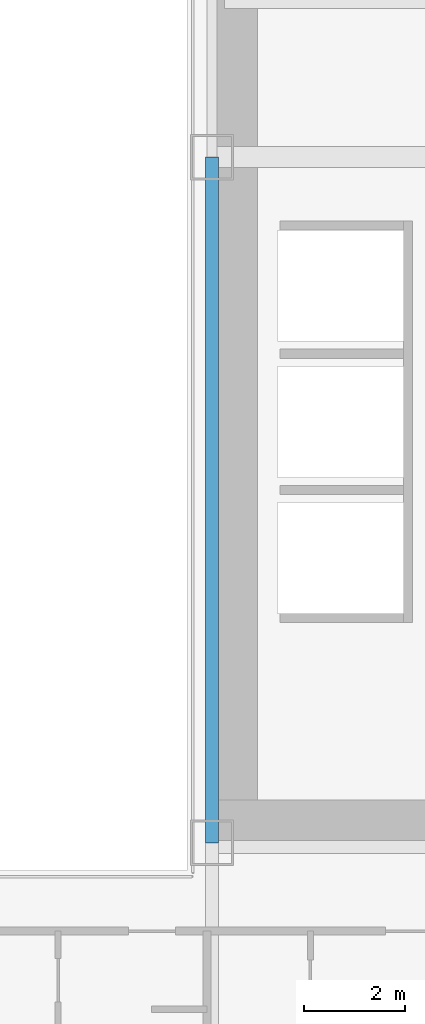
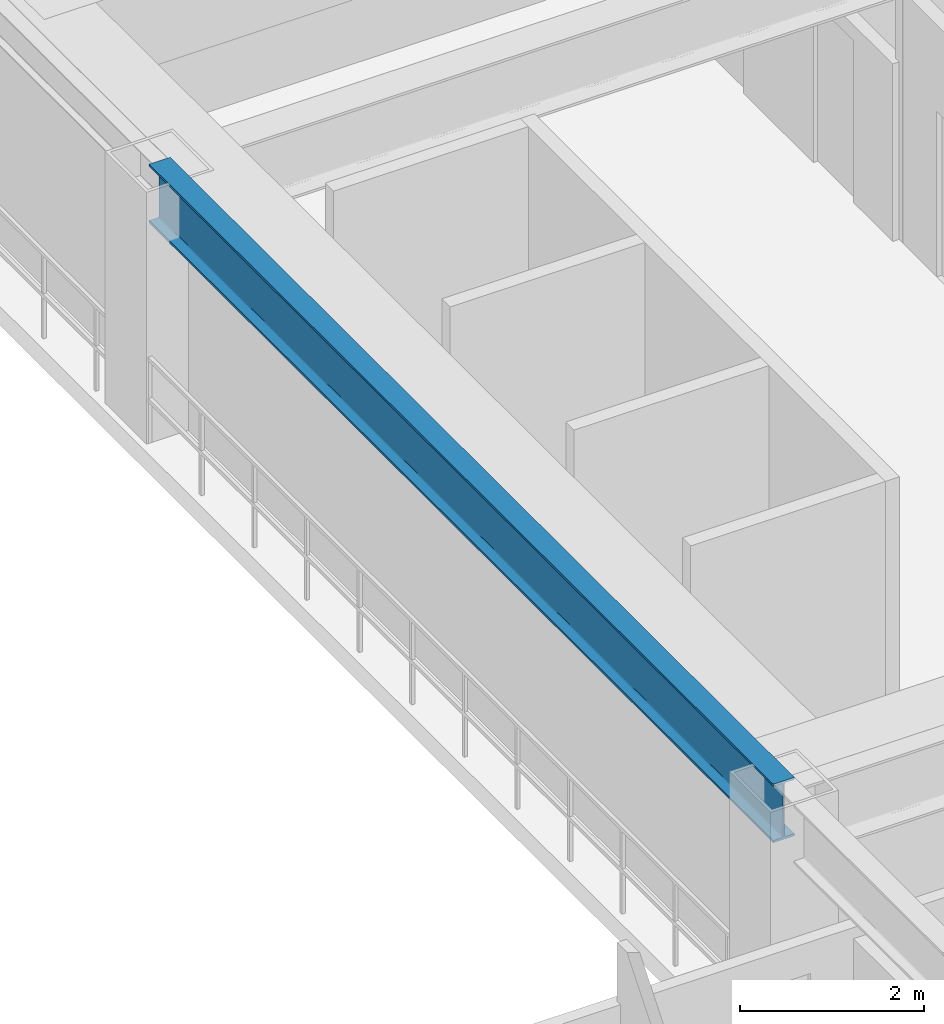
# One storey, part 12 of 36: 1 beam.
"""IFC4 building model written with IfcOpenShell, lengths in metres."""

from ifc_helpers import new_model, si_unit, direction, frame, origin, origin_2d, place, context, subcontext, project, spatial, i_section, extrude, source, transform, mapped, material, material_profile, profile_set, type_object, element, save


model = new_model("IFC4")

# Units and contexts
model_context = context("Model", 3, precision=1e-05, world=origin(), true_north=direction((0.0, 1.0)))
body_context = subcontext(model_context, "Body", "Model", "MODEL_VIEW")
ifc_project = project(units=[si_unit("LENGTHUNIT", "METRE"), si_unit("AREAUNIT", "SQUARE_METRE"), si_unit("VOLUMEUNIT", "CUBIC_METRE"), si_unit("PLANEANGLEUNIT", "RADIAN"), si_unit("MASSUNIT", "GRAM", prefix="KILO")], contexts=[model_context])

# Site, building, storey
site_placement = place(None, origin())
site = spatial("IfcSite", under=ifc_project, at=site_placement, CompositionType="ELEMENT")
building_placement = place(site_placement, origin())
building = spatial("IfcBuilding", under=site, at=building_placement, Name="Ocotamira Hotel", CompositionType="ELEMENT")
storey_placement = place(building_placement, frame((0.0, 0.0, 42.0)))
storey = spatial("IfcBuildingStorey", under=building, at=storey_placement, Name="L09", CompositionType="ELEMENT", Elevation=42.0)

# Beam
ifc_material = material(Name="Steel ASTM A992 Grade 50", Category="steel")
ifc_material_profile = material_profile(ifc_material, i_section(OverallWidth=0.26611328125, OverallDepth=0.779052734375, WebThickness=0.0166015625, FlangeThickness=0.030029296875, FilletRadius=0.01806640625, at=origin_2d()), Name="W30X148")
ifc_profile_set = profile_set([ifc_material_profile], Name="Steel ASTM A992 Grade 50")
beam_type = type_object("IfcBeamType", Name="BM-GIRD-W30X148", PredefinedType="BEAM", material=ifc_profile_set)
shared_shape = source(origin(), body_context, "Body", "SweptSolid", [
    extrude(i_section(OverallWidth=0.26611328125, OverallDepth=0.779052734375, WebThickness=0.0166015625, FlangeThickness=0.030029296875, FilletRadius=0.01806640625, at=origin_2d()), origin(), (0.0, 0.0, 1.0), 13.599853515625),
])
beam_placement = place(storey_placement, frame((40.5, 14.550048828125, 2.96044921875), z_axis=(0.0, 1.0, 0.0), x_axis=(-1.0, 0.0, 0.0)))
element("IfcBeam", 1, at=beam_placement, inside=storey, type_object=beam_type, Name="L09 Beam X40.5 Y14.55-28.15", PredefinedType="BEAM", context=body_context, shape_type="MappedRepresentation", body=[
    mapped(shared_shape, transform((0.0, 0.0, 0.0), scale=1.0)),
])

save(model, "model.ifc")
